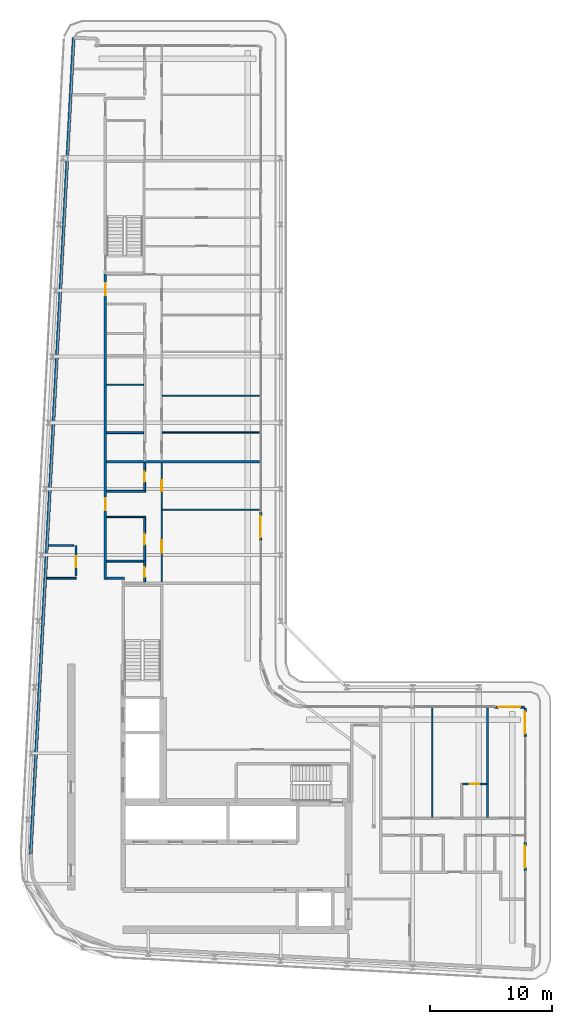
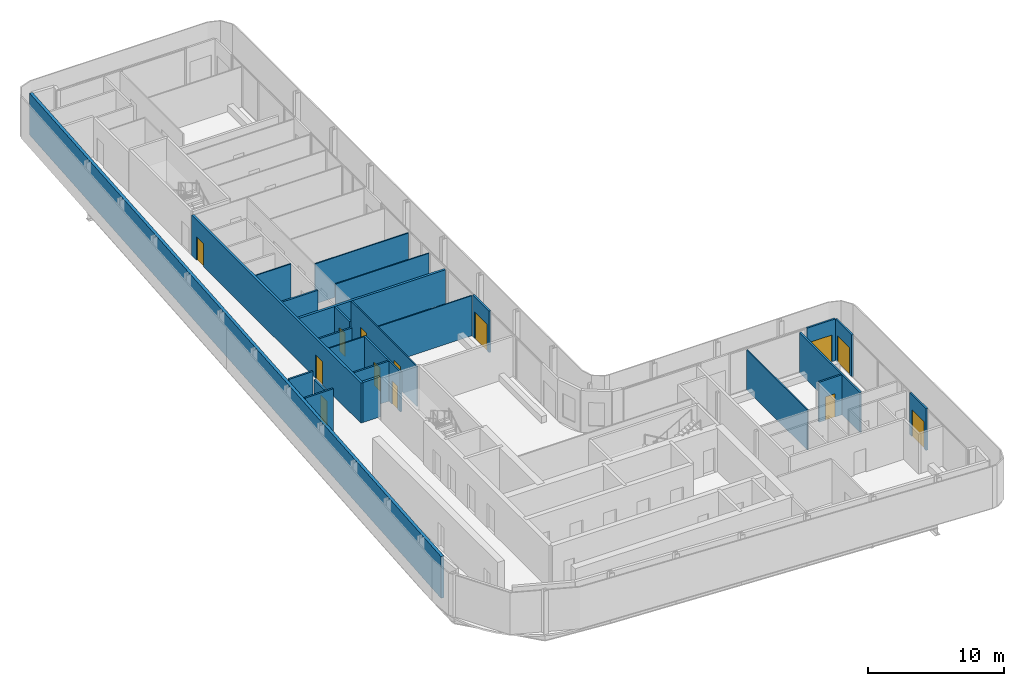
# One storey, part 13 of 21: 25 walls, 13 doors, 13 openings.
"""IFC4 building model written with IfcOpenShell, lengths in metres."""

from ifc_helpers import new_model, si_unit, direction, frame, frame_2d, origin, place, context, subcontext, project, spatial, rectangle, extrude, source, transform, mapped, material, layer, layer_set, type_object, element, fill, save


model = new_model("IFC4")

# Units and contexts
model_context = context("Model", 3, precision=1e-05, world=origin(), true_north=direction((0.0, 1.0)))
body_context = subcontext(model_context, "Body", "Model", "MODEL_VIEW")
ifc_project = project(units=[si_unit("LENGTHUNIT", "METRE"), si_unit("AREAUNIT", "SQUARE_METRE"), si_unit("VOLUMEUNIT", "CUBIC_METRE"), si_unit("PLANEANGLEUNIT", "RADIAN"), si_unit("MASSUNIT", "GRAM", prefix="KILO")], contexts=[model_context])

# Site, building, storey
site_placement = place(None, origin())
site = spatial("IfcSite", under=ifc_project, at=site_placement, CompositionType="ELEMENT")
building_placement = place(site_placement, origin())
building = spatial("IfcBuilding", under=site, at=building_placement, Name="Kheshtan School and Residences Tower", CompositionType="ELEMENT")
storey_placement = place(building_placement, frame((0.0, 0.0, 290.300048828125)))
storey = spatial("IfcBuildingStorey", under=building, at=storey_placement, Name="L68", CompositionType="ELEMENT", Elevation=290.300048828125)

# Wall, openings, doors
ifc_material_1 = material(Name="Gypsum board on steel studs with fire boards", Category="steel")
ifc_layer_1 = layer(ifc_material_1, 0.199951171875)
ifc_layer_set_1 = layer_set([ifc_layer_1], Name="Corridor wall 200")
wall_type_1 = type_object("IfcWallType", Name="Corridor wall 200", PredefinedType="PARTITIONING", material=ifc_layer_set_1)
wall_1_placement = place(storey_placement, frame((33.300048828125, 54.39990234375, 0.0), z_axis=(0.0, 0.0, 1.0), x_axis=(0.0, 1.0, 0.0)))
wall_1 = element("IfcWall", 1, at=wall_1_placement, inside=storey, type_object=wall_type_1, Name="Partition L68-003", PredefinedType="PARTITIONING", context=body_context, shape_type="SweptSolid", body=[
    extrude(rectangle(XDim=24.9501953125, YDim=0.199951171875, at=frame_2d((12.47509765625, 0.0))), origin(), (0.0, 0.0, 1.0), 3.599853515625),
])
opening_1_placement = place(wall_1_placement, frame((5.64990234375, 0.0, 0.0)))
opening_1 = element("IfcOpeningElement", 2, at=opening_1_placement, cuts=wall_1, Name="Opening D68-012", PredefinedType="OPENING", context=body_context, shape_type="SweptSolid", body=[
    extrude(rectangle(XDim=1.0, YDim=2.10009765625, at=frame_2d((0.5, 1.050048828125))), frame((0.0, 0.10986328125, 0.0), z_axis=(0.0, -1.0, 0.0), x_axis=(1.0, 0.0, 0.0)), (0.0, 0.0, 1.0), 0.219970703125),
])
opening_2_placement = place(wall_1_placement, frame((23.199951171875, 0.0, 0.0)))
opening_2 = element("IfcOpeningElement", 3, at=opening_2_placement, cuts=wall_1, Name="Opening D68-021", PredefinedType="OPENING", context=body_context, shape_type="SweptSolid", body=[
    extrude(rectangle(XDim=1.0, YDim=2.10009765625, at=frame_2d((0.5, 1.050048828125))), frame((0.0, 0.10986328125, 0.0), z_axis=(0.0, -1.0, 0.0), x_axis=(1.0, 0.0, 0.0)), (0.0, 0.0, 1.0), 0.219970703125),
])
ifc_material_2 = material(Name="Steel-framed fire-resisting door leaf", Category="steel")
door_type_1 = type_object("IfcDoorType", Name="Fire door FD30S 1000 x 2100", OperationType="SINGLE_SWING_LEFT", PredefinedType="DOOR", material=ifc_material_2)
shared_shape_1 = source(origin(), body_context, "Body", "SweptSolid", [
    extrude(rectangle(XDim=1.0, YDim=2.10009765625, at=frame_2d((0.5, 1.050048828125))), frame((0.0, 0.02490234375, 0.0), z_axis=(0.0, -1.0, 0.0), x_axis=(1.0, 0.0, 0.0)), (0.0, 0.0, 1.0), 0.050048828125),
])
door_1_placement = place(opening_1_placement, origin())
door_1 = element("IfcDoor", 4, at=door_1_placement, inside=storey, type_object=door_type_1, Name="Door D68-012", OperationType="SINGLE_SWING_LEFT", OverallHeight=2.10009765625, OverallWidth=1.0, PredefinedType="DOOR", context=body_context, shape_type="MappedRepresentation", body=[
    mapped(shared_shape_1, transform((0.0, 0.0, 0.0), x_axis=(1.0, 0.0, 0.0), y_axis=(0.0, 1.0, 0.0), z_axis=(0.0, 0.0, 1.0), scale=1.0)),
])
fill(opening_1, door_1)
door_2_placement = place(opening_2_placement, origin())
door_2 = element("IfcDoor", 5, at=door_2_placement, inside=storey, type_object=door_type_1, Name="Door D68-021", OperationType="SINGLE_SWING_LEFT", OverallHeight=2.10009765625, OverallWidth=1.0, PredefinedType="DOOR", context=body_context, shape_type="MappedRepresentation", body=[
    mapped(shared_shape_1, transform((0.0, 0.0, 0.0), x_axis=(1.0, 0.0, 0.0), y_axis=(0.0, 1.0, 0.0), z_axis=(0.0, 0.0, 1.0), scale=1.0)),
])
fill(opening_2, door_2)

# Walls
wall_2_placement = place(storey_placement, frame((33.39990234375, 54.5, 0.0), z_axis=(0.0, 0.0, 1.0), x_axis=(1.0, 0.0, 0.0)))
element("IfcWall", 6, at=wall_2_placement, inside=storey, type_object=wall_type_1, Name="Partition L68-005", PredefinedType="PARTITIONING", context=body_context, shape_type="SweptSolid", body=[
    extrude(rectangle(XDim=1.4501953125, YDim=0.199951171875, at=frame_2d((0.72509765625, 0.0))), origin(), (0.0, 0.0, 1.0), 3.599853515625),
])
ifc_material_3 = material(Name="Concrete C40/50 with ceramic cladding and mineral wool insulation", Category="concrete")
ifc_layer_2 = layer(ifc_material_3, 0.25)
ifc_layer_set_2 = layer_set([ifc_layer_2], Name="External wall 250 ceramic clad")
wall_type_2 = type_object("IfcWallType", Name="External wall 250 ceramic clad", PredefinedType="SOLIDWALL", material=ifc_layer_set_2)
wall_3_placement = place(storey_placement, frame((27.195068359375, 31.968994140625, 0.0), z_axis=(0.0, 0.0, 1.0), x_axis=(0.052554995867, 0.998618031286, 0.0)))
element("IfcWall", 7, at=wall_3_placement, inside=storey, type_object=wall_type_2, Name="External wall L68 4", PredefinedType="SOLIDWALL", context=body_context, shape_type="SweptSolid", body=[
    extrude(rectangle(XDim=66.787353515625, YDim=0.25, at=frame_2d((33.3935546875, 0.0))), origin(), (0.0, 0.0, 1.0), 3.75),
])

# Wall, opening, door
ifc_material_4 = material(Name="Aluminium frame wall with insulated infill", Category="aluminium")
ifc_layer_3 = layer(ifc_material_4, 0.14990234375)
ifc_layer_set_3 = layer_set([ifc_layer_3], Name="Glazing frame wall 150")
wall_type_3 = type_object("IfcWallType", Name="Glazing frame wall 150", PredefinedType="SOLIDWALL", material=ifc_layer_set_3)
wall_4_placement = place(storey_placement, frame((45.97509765625, 59.924072265625, 0.0), z_axis=(0.0, 0.0, 1.0), x_axis=(0.0, -1.0, 0.0)))
wall_4 = element("IfcWall", 8, at=wall_4_placement, inside=storey, type_object=wall_type_3, Name="Balcony door wall L68 8.4", PredefinedType="SOLIDWALL", context=body_context, shape_type="SweptSolid", body=[
    extrude(rectangle(XDim=2.400146484375, YDim=0.14990234375, at=frame_2d((1.2001953125, 0.0))), origin(), (0.0, 0.0, 1.0), 3.75),
])
opening_3_placement = place(wall_4_placement, frame((0.300048828125, 0.0, 0.0)))
opening_3 = element("IfcOpeningElement", 9, at=opening_3_placement, cuts=wall_4, Name="Opening BD", PredefinedType="OPENING", context=body_context, shape_type="SweptSolid", body=[
    extrude(rectangle(XDim=1.800048828125, YDim=2.39990234375, at=frame_2d((0.89990234375, 1.199951171875))), frame((0.0, 0.0849609375, 0.0), z_axis=(0.0, -1.0, 0.0), x_axis=(1.0, 0.0, 0.0)), (0.0, 0.0, 1.0), 0.169921875),
])
ifc_material_5 = material(Name="Clear low-e glass in thermally broken aluminium frame", Category="aluminium")
door_type_2 = type_object("IfcDoorType", Name="Balcony sliding door", OperationType="SLIDING_TO_LEFT", PredefinedType="DOOR", material=ifc_material_5)
shared_shape_2 = source(origin(), body_context, "Body", "SweptSolid", [
    extrude(rectangle(XDim=1.800048828125, YDim=2.39990234375, at=frame_2d((0.89990234375, 1.199951171875))), frame((0.0, 0.02490234375, 0.0), z_axis=(0.0, -1.0, 0.0), x_axis=(1.0, 0.0, 0.0)), (0.0, 0.0, 1.0), 0.050048828125),
])
door_3_placement = place(opening_3_placement, origin())
door_3 = element("IfcDoor", 10, at=door_3_placement, inside=storey, type_object=door_type_2, Name="Balcony door L68 8.4", OperationType="SLIDING_TO_LEFT", OverallHeight=2.39990234375, OverallWidth=1.800048828125, PredefinedType="DOOR", context=body_context, shape_type="MappedRepresentation", body=[
    mapped(shared_shape_2, transform((0.0, 0.0, 0.0), x_axis=(1.0, 0.0, 0.0), y_axis=(0.0, 1.0, 0.0), z_axis=(0.0, 0.0, 1.0), scale=1.0)),
])
fill(opening_3, door_3)

wall_5_placement = place(storey_placement, frame((65.10009765625, 43.97509765625, 0.0), z_axis=(0.0, 0.0, 1.0), x_axis=(1.0, 0.0, 0.0)))
wall_5 = element("IfcWall", 11, at=wall_5_placement, inside=storey, type_object=wall_type_3, Name="Balcony door wall L68 12.2", PredefinedType="SOLIDWALL", context=body_context, shape_type="SweptSolid", body=[
    extrude(rectangle(XDim=2.39990234375, YDim=0.14990234375, at=frame_2d((1.199951171875, 0.0))), origin(), (0.0, 0.0, 1.0), 3.75),
])
opening_4_placement = place(wall_5_placement, frame((0.300048828125, 0.0, 0.0)))
opening_4 = element("IfcOpeningElement", 12, at=opening_4_placement, cuts=wall_5, Name="Opening BD", PredefinedType="OPENING", context=body_context, shape_type="SweptSolid", body=[
    extrude(rectangle(XDim=1.800048828125, YDim=2.39990234375, at=frame_2d((0.89990234375, 1.199951171875))), frame((0.0, 0.0849609375, 0.0), z_axis=(0.0, -1.0, 0.0), x_axis=(1.0, 0.0, 0.0)), (0.0, 0.0, 1.0), 0.169921875),
])
door_4_placement = place(opening_4_placement, origin())
door_4 = element("IfcDoor", 13, at=door_4_placement, inside=storey, type_object=door_type_2, Name="Balcony door L68 12.2", OperationType="SLIDING_TO_LEFT", OverallHeight=2.39990234375, OverallWidth=1.800048828125, PredefinedType="DOOR", context=body_context, shape_type="MappedRepresentation", body=[
    mapped(shared_shape_2, transform((0.0, 0.0, 0.0), x_axis=(1.0, 0.0, 0.0), y_axis=(0.0, 1.0, 0.0), z_axis=(0.0, 0.0, 1.0), scale=1.0)),
])
fill(opening_4, door_4)

wall_6_placement = place(storey_placement, frame((67.574951171875, 43.89990234375, 0.0), z_axis=(0.0, 0.0, 1.0), x_axis=(0.0, -1.0, 0.0)))
wall_6 = element("IfcWall", 14, at=wall_6_placement, inside=storey, type_object=wall_type_3, Name="Balcony door wall L68 13.1", PredefinedType="SOLIDWALL", context=body_context, shape_type="SweptSolid", body=[
    extrude(rectangle(XDim=2.39990234375, YDim=0.14990234375, at=frame_2d((1.199951171875, 0.0))), origin(), (0.0, 0.0, 1.0), 3.75),
])
opening_5_placement = place(wall_6_placement, frame((0.300048828125, 0.0, 0.0)))
opening_5 = element("IfcOpeningElement", 15, at=opening_5_placement, cuts=wall_6, Name="Opening BD", PredefinedType="OPENING", context=body_context, shape_type="SweptSolid", body=[
    extrude(rectangle(XDim=1.800048828125, YDim=2.39990234375, at=frame_2d((0.89990234375, 1.199951171875))), frame((0.0, 0.0849609375, 0.0), z_axis=(0.0, -1.0, 0.0), x_axis=(1.0, 0.0, 0.0)), (0.0, 0.0, 1.0), 0.169921875),
])
door_5_placement = place(opening_5_placement, origin())
door_5 = element("IfcDoor", 16, at=door_5_placement, inside=storey, type_object=door_type_2, Name="Balcony door L68 13.1", OperationType="SLIDING_TO_LEFT", OverallHeight=2.39990234375, OverallWidth=1.800048828125, PredefinedType="DOOR", context=body_context, shape_type="MappedRepresentation", body=[
    mapped(shared_shape_2, transform((0.0, 0.0, 0.0), x_axis=(1.0, 0.0, 0.0), y_axis=(0.0, 1.0, 0.0), z_axis=(0.0, 0.0, 1.0), scale=1.0)),
])
fill(opening_5, door_5)

wall_7_placement = place(storey_placement, frame((67.574951171875, 32.958984375, 0.0), z_axis=(0.0, 0.0, 1.0), x_axis=(0.0, -1.0, 0.0)))
wall_7 = element("IfcWall", 17, at=wall_7_placement, inside=storey, type_object=wall_type_3, Name="Balcony door wall L68 13.2", PredefinedType="SOLIDWALL", context=body_context, shape_type="SweptSolid", body=[
    extrude(rectangle(XDim=2.39990234375, YDim=0.14990234375, at=frame_2d((1.199951171875, 0.0))), origin(), (0.0, 0.0, 1.0), 3.75),
])
opening_6_placement = place(wall_7_placement, frame((0.300048828125, 0.0, 0.0)))
opening_6 = element("IfcOpeningElement", 18, at=opening_6_placement, cuts=wall_7, Name="Opening BD", PredefinedType="OPENING", context=body_context, shape_type="SweptSolid", body=[
    extrude(rectangle(XDim=1.800048828125, YDim=2.39990234375, at=frame_2d((0.89990234375, 1.199951171875))), frame((0.0, 0.0849609375, 0.0), z_axis=(0.0, -1.0, 0.0), x_axis=(1.0, 0.0, 0.0)), (0.0, 0.0, 1.0), 0.169921875),
])
door_6_placement = place(opening_6_placement, origin())
door_6 = element("IfcDoor", 19, at=door_6_placement, inside=storey, type_object=door_type_2, Name="Balcony door L68 13.2", OperationType="SLIDING_TO_LEFT", OverallHeight=2.39990234375, OverallWidth=1.800048828125, PredefinedType="DOOR", context=body_context, shape_type="MappedRepresentation", body=[
    mapped(shared_shape_2, transform((0.0, 0.0, 0.0), x_axis=(1.0, 0.0, 0.0), y_axis=(0.0, 1.0, 0.0), z_axis=(0.0, 0.0, 1.0), scale=1.0)),
])
fill(opening_6, door_6)

# Walls
ifc_material_6 = material(Name="Gypsum board on steel studs", Category="steel")
ifc_layer_4 = layer(ifc_material_6, 0.10009765625)
ifc_layer_set_4 = layer_set([ifc_layer_4], Name="Gypsum partition 100")
wall_type_4 = type_object("IfcWallType", Name="Gypsum partition 100", PredefinedType="PARTITIONING", material=ifc_layer_set_4)
for number, where, z_axis, x_axis, name in (
    (20, (33.39990234375, 59.5, 0.0), (0.0, 0.0, 1.0), (1.0, 0.0, 0.0), "Partition L68-007"),
    (21, (33.39990234375, 70.300048828125, 0.0), (0.0, 0.0, 1.0), (1.0, 0.0, 0.0), "Partition L68-011"),
):
    element("IfcWall", number, at=place(storey_placement, frame(where, z_axis=z_axis, x_axis=x_axis)), inside=storey, type_object=wall_type_4, Name=name, PredefinedType="PARTITIONING", context=body_context, shape_type="SweptSolid", body=[
        extrude(rectangle(XDim=3.025146484375, YDim=0.10009765625, at=frame_2d((1.5126953125, 0.0))), origin(), (0.0, 0.0, 1.0), 3.599853515625),
    ])

# Wall, openings, doors
wall_8_placement = place(storey_placement, frame((37.89990234375, 54.199951171875, 0.0), z_axis=(0.0, 0.0, 1.0), x_axis=(0.0, 1.0, 0.0)))
wall_8 = element("IfcWall", 22, at=wall_8_placement, inside=storey, type_object=wall_type_4, Name="Partition L68-030", PredefinedType="PARTITIONING", context=body_context, shape_type="SweptSolid", body=[
    extrude(rectangle(XDim=9.699951171875, YDim=0.10009765625, at=frame_2d((4.85009765625, 0.0))), origin(), (0.0, 0.0, 1.0), 3.599853515625),
])
opening_7_placement = place(wall_8_placement, frame((7.39990234375, 0.0, 0.0)))
opening_7 = element("IfcOpeningElement", 23, at=opening_7_placement, cuts=wall_8, Name="Opening D68-011", PredefinedType="OPENING", context=body_context, shape_type="SweptSolid", body=[
    extrude(rectangle(XDim=0.89990234375, YDim=2.10009765625, at=frame_2d((0.449951171875, 1.050048828125))), frame((0.0, 0.06005859375, 0.0), z_axis=(0.0, -1.0, 0.0), x_axis=(1.0, 0.0, 0.0)), (0.0, 0.0, 1.0), 0.1201171875),
])
opening_8_placement = place(wall_8_placement, frame((2.39990234375, 0.0, 0.0)))
opening_8 = element("IfcOpeningElement", 24, at=opening_8_placement, cuts=wall_8, Name="Opening D68-014", PredefinedType="OPENING", context=body_context, shape_type="SweptSolid", body=[
    extrude(rectangle(XDim=1.0, YDim=2.10009765625, at=frame_2d((0.5, 1.050048828125))), frame((0.0, 0.06005859375, 0.0), z_axis=(0.0, -1.0, 0.0), x_axis=(1.0, 0.0, 0.0)), (0.0, 0.0, 1.0), 0.1201171875),
])
ifc_material_7 = material(Name="Veneered timber door leaf", Category="wood")
door_type_3 = type_object("IfcDoorType", Name="Door 1000 x 2100", OperationType="SINGLE_SWING_LEFT", PredefinedType="DOOR", material=ifc_material_7)
shared_shape_3 = source(origin(), body_context, "Body", "SweptSolid", [
    extrude(rectangle(XDim=1.0, YDim=2.10009765625, at=frame_2d((0.5, 1.050048828125))), frame((0.0, 0.02490234375, 0.0), z_axis=(0.0, -1.0, 0.0), x_axis=(1.0, 0.0, 0.0)), (0.0, 0.0, 1.0), 0.050048828125),
])
door_7_placement = place(opening_8_placement, origin())
door_7 = element("IfcDoor", 25, at=door_7_placement, inside=storey, type_object=door_type_3, Name="Door D68-014", OperationType="SINGLE_SWING_RIGHT", OverallHeight=2.10009765625, OverallWidth=1.0, PredefinedType="DOOR", context=body_context, shape_type="MappedRepresentation", body=[
    mapped(shared_shape_3, transform((0.0, 0.0, 0.0), x_axis=(1.0, 0.0, 0.0), y_axis=(0.0, 1.0, 0.0), z_axis=(0.0, 0.0, 1.0), scale=1.0)),
])
fill(opening_8, door_7)
door_type_4 = type_object("IfcDoorType", Name="Door 900 x 2100", OperationType="SINGLE_SWING_LEFT", PredefinedType="DOOR", material=ifc_material_7)
shared_shape_4 = source(origin(), body_context, "Body", "SweptSolid", [
    extrude(rectangle(XDim=0.89990234375, YDim=2.10009765625, at=frame_2d((0.449951171875, 1.050048828125))), frame((0.0, 0.02490234375, 0.0), z_axis=(0.0, -1.0, 0.0), x_axis=(1.0, 0.0, 0.0)), (0.0, 0.0, 1.0), 0.050048828125),
])
door_8_placement = place(opening_7_placement, origin())
door_8 = element("IfcDoor", 26, at=door_8_placement, inside=storey, type_object=door_type_4, Name="Door D68-011", OperationType="SINGLE_SWING_RIGHT", OverallHeight=2.10009765625, OverallWidth=0.89990234375, PredefinedType="DOOR", context=body_context, shape_type="MappedRepresentation", body=[
    mapped(shared_shape_4, transform((0.0, 0.0, 0.0), x_axis=(1.0, 0.0, 0.0), y_axis=(0.0, 1.0, 0.0), z_axis=(0.0, 0.0, 1.0), scale=1.0)),
])
fill(opening_7, door_8)

# Walls
for number, where, z_axis, x_axis, name in (
    (27, (37.949951171875, 60.10009765625, 0.0), (0.0, 0.0, 1.0), (1.0, 0.0, 0.0), "Partition L68-033"),
    (28, (37.949951171875, 66.39990234375, 0.0), (0.0, 0.0, 1.0), (1.0, 0.0, 0.0), "Partition L68-034"),
    (29, (37.949951171875, 69.39990234375, 0.0), (0.0, 0.0, 1.0), (1.0, 0.0, 0.0), "Partition L68-035"),
):
    element("IfcWall", number, at=place(storey_placement, frame(where, z_axis=z_axis, x_axis=x_axis)), inside=storey, type_object=wall_type_4, Name=name, PredefinedType="PARTITIONING", context=body_context, shape_type="SweptSolid", body=[
        extrude(rectangle(XDim=7.949951171875, YDim=0.10009765625, at=frame_2d((3.97509765625, 0.0))), origin(), (0.0, 0.0, 1.0), 3.599853515625),
    ])
wall_9_placement = place(storey_placement, frame((60.0, 34.97509765625, 0.0), z_axis=(0.0, 0.0, 1.0), x_axis=(0.0, 1.0, 0.0)))
element("IfcWall", 30, at=wall_9_placement, inside=storey, type_object=wall_type_4, Name="Partition L68-047", PredefinedType="PARTITIONING", context=body_context, shape_type="SweptSolid", body=[
    extrude(rectangle(XDim=8.9248046875, YDim=0.10009765625, at=frame_2d((4.46240234375, 0.0))), origin(), (0.0, 0.0, 1.0), 3.599853515625),
])
ifc_material_8 = material(Name="Fire-board shaft wall system")
ifc_layer_5 = layer(ifc_material_8, 0.14990234375)
ifc_layer_set_5 = layer_set([ifc_layer_5], Name="Service room wall 150")
wall_type_5 = type_object("IfcWallType", Name="Service room wall 150", PredefinedType="PARTITIONING", material=ifc_layer_set_5)
wall_10_placement = place(storey_placement, frame((28.508056640625, 54.5, 0.0), z_axis=(0.0, 0.0, 1.0), x_axis=(1.0, 0.0, 0.0)))
element("IfcWall", 31, at=wall_10_placement, inside=storey, type_object=wall_type_5, Name="Service room wall", PredefinedType="PARTITIONING", context=body_context, shape_type="SweptSolid", body=[
    extrude(rectangle(XDim=2.391845703125, YDim=0.14990234375, at=frame_2d((1.19580078125, 0.0))), origin(), (0.0, 0.0, 1.0), 3.89990234375),
])

# Wall, opening, door
wall_11_placement = place(storey_placement, frame((30.89990234375, 54.695068359375, 0.0), z_axis=(0.0, 0.0, 1.0), x_axis=(0.0, 1.0, 0.0)))
wall_11 = element("IfcWall", 32, at=wall_11_placement, inside=storey, type_object=wall_type_5, Name="Service room wall", PredefinedType="PARTITIONING", context=body_context, shape_type="SweptSolid", body=[
    extrude(rectangle(XDim=2.48681640625, YDim=0.14990234375, at=frame_2d((1.243408203125, 0.0))), origin(), (0.0, 0.0, 1.0), 3.072021484375),
])
opening_9_placement = place(wall_11_placement, frame((0.696044921875, 0.0, 0.0)))
opening_9 = element("IfcOpeningElement", 33, at=opening_9_placement, cuts=wall_11, Name="Opening SR90", PredefinedType="OPENING", context=body_context, shape_type="SweptSolid", body=[
    extrude(rectangle(XDim=0.89990234375, YDim=2.199951171875, at=frame_2d((0.449951171875, 1.10009765625))), frame((0.0, 0.0849609375, 0.0), z_axis=(0.0, -1.0, 0.0), x_axis=(1.0, 0.0, 0.0)), (0.0, 0.0, 1.0), 0.169921875),
])
ifc_material_9 = material(Name="Steel door leaf, galvanised", Category="steel")
door_type_5 = type_object("IfcDoorType", Name="Service room door 900 steel 90 min", OperationType="SINGLE_SWING_LEFT", PredefinedType="DOOR", material=ifc_material_9)
shared_shape_5 = source(origin(), body_context, "Body", "SweptSolid", [
    extrude(rectangle(XDim=0.89990234375, YDim=2.199951171875, at=frame_2d((0.449951171875, 1.10009765625))), frame((0.0, 0.02490234375, 0.0), z_axis=(0.0, -1.0, 0.0), x_axis=(1.0, 0.0, 0.0)), (0.0, 0.0, 1.0), 0.050048828125),
])
door_9_placement = place(opening_9_placement, origin())
door_9 = element("IfcDoor", 34, at=door_9_placement, inside=storey, type_object=door_type_5, Name="Service room door", OperationType="SINGLE_SWING_LEFT", OverallHeight=2.199951171875, OverallWidth=0.89990234375, PredefinedType="DOOR", context=body_context, shape_type="MappedRepresentation", body=[
    mapped(shared_shape_5, transform((0.0, 0.0, 0.0), x_axis=(1.0, 0.0, 0.0), y_axis=(0.0, 1.0, 0.0), z_axis=(0.0, 0.0, 1.0), scale=1.0)),
])
fill(opening_9, door_9)

# Walls
wall_12_placement = place(storey_placement, frame((28.64892578125, 57.181884765625, 0.0), z_axis=(0.0, 0.0, 1.0), x_axis=(1.0, 0.0, 0.0)))
element("IfcWall", 35, at=wall_12_placement, inside=storey, type_object=wall_type_5, Name="Service room wall", PredefinedType="PARTITIONING", context=body_context, shape_type="SweptSolid", body=[
    extrude(rectangle(XDim=2.05615234375, YDim=0.14990234375, at=frame_2d((1.028076171875, 0.0))), origin(), (0.0, 0.0, 1.0), 3.89990234375),
])
ifc_material_10 = material(Name="Twin gypsum board on steel studs with mineral wool", Category="steel")
ifc_layer_6 = layer(ifc_material_10, 0.199951171875)
ifc_layer_set_6 = layer_set([ifc_layer_6], Name="Unit demising wall 200")
wall_type_6 = type_object("IfcWallType", Name="Unit demising wall 200", PredefinedType="PARTITIONING", material=ifc_layer_set_6)
wall_13_placement = place(storey_placement, frame((33.39990234375, 64.0, 0.0), z_axis=(0.0, 0.0, 1.0), x_axis=(1.0, 0.0, 0.0)))
element("IfcWall", 36, at=wall_13_placement, inside=storey, type_object=wall_type_6, Name="Partition L68-009", PredefinedType="PARTITIONING", context=body_context, shape_type="SweptSolid", body=[
    extrude(rectangle(XDim=12.5, YDim=0.199951171875, at=frame_2d((6.25, 0.0))), origin(), (0.0, 0.0, 1.0), 3.599853515625),
])
ifc_material_11 = material(Name="Moisture-resistant gypsum board on steel studs", Category="steel")
ifc_layer_7 = layer(ifc_material_11, 0.14990234375)
ifc_layer_set_7 = layer_set([ifc_layer_7], Name="Wet-room partition 150")
wall_type_7 = type_object("IfcWallType", Name="Wet-room partition 150", PredefinedType="PARTITIONING", material=ifc_layer_set_7)
wall_14_placement = place(storey_placement, frame((33.39990234375, 55.89990234375, 0.0), z_axis=(0.0, 0.0, 1.0), x_axis=(1.0, 0.0, 0.0)))
element("IfcWall", 37, at=wall_14_placement, inside=storey, type_object=wall_type_7, Name="Partition L68-006", PredefinedType="PARTITIONING", context=body_context, shape_type="SweptSolid", body=[
    extrude(rectangle(XDim=3.025146484375, YDim=0.14990234375, at=frame_2d((1.5126953125, 0.0))), origin(), (0.0, 0.0, 1.0), 3.599853515625),
])
wall_15_placement = place(storey_placement, frame((33.39990234375, 61.60009765625, 0.0), z_axis=(0.0, 0.0, 1.0), x_axis=(1.0, 0.0, 0.0)))
element("IfcWall", 38, at=wall_15_placement, inside=storey, type_object=wall_type_7, Name="Partition L68-008", PredefinedType="PARTITIONING", context=body_context, shape_type="SweptSolid", body=[
    extrude(rectangle(XDim=3.175048828125, YDim=0.14990234375, at=frame_2d((1.58740234375, 0.0))), origin(), (0.0, 0.0, 1.0), 3.072021484375),
])
wall_16_placement = place(storey_placement, frame((33.39990234375, 66.39990234375, 0.0), z_axis=(0.0, 0.0, 1.0), x_axis=(1.0, 0.0, 0.0)))
element("IfcWall", 39, at=wall_16_placement, inside=storey, type_object=wall_type_7, Name="Partition L68-010", PredefinedType="PARTITIONING", context=body_context, shape_type="SweptSolid", body=[
    extrude(rectangle(XDim=3.025146484375, YDim=0.14990234375, at=frame_2d((1.5126953125, 0.0))), origin(), (0.0, 0.0, 1.0), 3.599853515625),
])

# Wall, openings, doors
wall_17_placement = place(storey_placement, frame((36.5, 54.199951171875, 0.0), z_axis=(0.0, 0.0, 1.0), x_axis=(0.0, 1.0, 0.0)))
wall_17 = element("IfcWall", 40, at=wall_17_placement, inside=storey, type_object=wall_type_7, Name="Partition L68-022", PredefinedType="PARTITIONING", context=body_context, shape_type="SweptSolid", body=[
    extrude(rectangle(XDim=5.35009765625, YDim=0.14990234375, at=frame_2d((2.675048828125, 0.0))), origin(), (0.0, 0.0, 1.0), 3.599853515625),
])
opening_10_placement = place(wall_17_placement, frame((3.050048828125, 0.0, 0.0)))
opening_10 = element("IfcOpeningElement", 41, at=opening_10_placement, cuts=wall_17, Name="Opening D68-013", PredefinedType="OPENING", context=body_context, shape_type="SweptSolid", body=[
    extrude(rectangle(XDim=0.89990234375, YDim=2.10009765625, at=frame_2d((0.449951171875, 1.050048828125))), frame((0.0, 0.0849609375, 0.0), z_axis=(0.0, -1.0, 0.0), x_axis=(1.0, 0.0, 0.0)), (0.0, 0.0, 1.0), 0.169921875),
])
opening_11_placement = place(wall_17_placement, frame((0.39990234375, 0.0, 0.0)))
opening_11 = element("IfcOpeningElement", 42, at=opening_11_placement, cuts=wall_17, Name="Opening D68-015", PredefinedType="OPENING", context=body_context, shape_type="SweptSolid", body=[
    extrude(rectangle(XDim=0.800048828125, YDim=2.10009765625, at=frame_2d((0.39990234375, 1.050048828125))), frame((0.0, 0.0849609375, 0.0), z_axis=(0.0, -1.0, 0.0), x_axis=(1.0, 0.0, 0.0)), (0.0, 0.0, 1.0), 0.169921875),
])
door_type_6 = type_object("IfcDoorType", Name="Door 800 x 2100", OperationType="SINGLE_SWING_LEFT", PredefinedType="DOOR", material=ifc_material_7)
shared_shape_6 = source(origin(), body_context, "Body", "SweptSolid", [
    extrude(rectangle(XDim=0.800048828125, YDim=2.10009765625, at=frame_2d((0.39990234375, 1.050048828125))), frame((0.0, 0.02490234375, 0.0), z_axis=(0.0, -1.0, 0.0), x_axis=(1.0, 0.0, 0.0)), (0.0, 0.0, 1.0), 0.050048828125),
])
door_10_placement = place(opening_11_placement, origin())
door_10 = element("IfcDoor", 43, at=door_10_placement, inside=storey, type_object=door_type_6, Name="Door D68-015", OperationType="SINGLE_SWING_RIGHT", OverallHeight=2.10009765625, OverallWidth=0.800048828125, PredefinedType="DOOR", context=body_context, shape_type="MappedRepresentation", body=[
    mapped(shared_shape_6, transform((0.0, 0.0, 0.0), x_axis=(1.0, 0.0, 0.0), y_axis=(0.0, 1.0, 0.0), z_axis=(0.0, 0.0, 1.0), scale=1.0)),
])
fill(opening_11, door_10)
door_11_placement = place(opening_10_placement, origin())
door_11 = element("IfcDoor", 44, at=door_11_placement, inside=storey, type_object=door_type_4, Name="Door D68-013", OperationType="SINGLE_SWING_RIGHT", OverallHeight=2.10009765625, OverallWidth=0.89990234375, PredefinedType="DOOR", context=body_context, shape_type="MappedRepresentation", body=[
    mapped(shared_shape_4, transform((0.0, 0.0, 0.0), x_axis=(1.0, 0.0, 0.0), y_axis=(0.0, 1.0, 0.0), z_axis=(0.0, 0.0, 1.0), scale=1.0)),
])
fill(opening_10, door_11)

# Wall, opening, door
wall_18_placement = place(storey_placement, frame((36.5, 61.675048828125, 0.0), z_axis=(0.0, 0.0, 1.0), x_axis=(0.0, 1.0, 0.0)))
wall_18 = element("IfcWall", 45, at=wall_18_placement, inside=storey, type_object=wall_type_7, Name="Partition L68-023", PredefinedType="PARTITIONING", context=body_context, shape_type="SweptSolid", body=[
    extrude(rectangle(XDim=2.224853515625, YDim=0.14990234375, at=frame_2d((1.1123046875, 0.0))), origin(), (0.0, 0.0, 1.0), 3.599853515625),
])
opening_12_placement = place(wall_18_placement, frame((0.72509765625, 0.0, 0.0)))
opening_12 = element("IfcOpeningElement", 46, at=opening_12_placement, cuts=wall_18, Name="Opening D68-010", PredefinedType="OPENING", context=body_context, shape_type="SweptSolid", body=[
    extrude(rectangle(XDim=0.800048828125, YDim=2.10009765625, at=frame_2d((0.39990234375, 1.050048828125))), frame((0.0, 0.0849609375, 0.0), z_axis=(0.0, -1.0, 0.0), x_axis=(1.0, 0.0, 0.0)), (0.0, 0.0, 1.0), 0.169921875),
])
door_12_placement = place(opening_12_placement, origin())
door_12 = element("IfcDoor", 47, at=door_12_placement, inside=storey, type_object=door_type_6, Name="Door D68-010", OperationType="SINGLE_SWING_LEFT", OverallHeight=2.10009765625, OverallWidth=0.800048828125, PredefinedType="DOOR", context=body_context, shape_type="MappedRepresentation", body=[
    mapped(shared_shape_6, transform((0.0, 0.0, 0.0), x_axis=(1.0, 0.0, 0.0), y_axis=(0.0, 1.0, 0.0), z_axis=(0.0, 0.0, 1.0), scale=1.0)),
])
fill(opening_12, door_12)

wall_19_placement = place(storey_placement, frame((62.47509765625, 37.699951171875, 0.0), z_axis=(0.0, 0.0, 1.0), x_axis=(1.0, 0.0, 0.0)))
wall_19 = element("IfcWall", 48, at=wall_19_placement, inside=storey, type_object=wall_type_7, Name="Partition L68-050", PredefinedType="PARTITIONING", context=body_context, shape_type="SweptSolid", body=[
    extrude(rectangle(XDim=1.949951171875, YDim=0.14990234375, at=frame_2d((0.97509765625, 0.0))), origin(), (0.0, 0.0, 1.0), 3.599853515625),
])
opening_13_placement = place(wall_19_placement, frame((0.574951171875, 0.0, 0.0)))
opening_13 = element("IfcOpeningElement", 49, at=opening_13_placement, cuts=wall_19, Name="Opening D68-004", PredefinedType="OPENING", context=body_context, shape_type="SweptSolid", body=[
    extrude(rectangle(XDim=0.800048828125, YDim=2.10009765625, at=frame_2d((0.39990234375, 1.050048828125))), frame((0.0, 0.0849609375, 0.0), z_axis=(0.0, -1.0, 0.0), x_axis=(1.0, 0.0, 0.0)), (0.0, 0.0, 1.0), 0.169921875),
])
door_13_placement = place(opening_13_placement, origin())
door_13 = element("IfcDoor", 50, at=door_13_placement, inside=storey, type_object=door_type_6, Name="Door D68-004", OperationType="SINGLE_SWING_LEFT", OverallHeight=2.10009765625, OverallWidth=0.800048828125, PredefinedType="DOOR", context=body_context, shape_type="MappedRepresentation", body=[
    mapped(shared_shape_6, transform((0.0, 0.0, 0.0), x_axis=(1.0, 0.0, 0.0), y_axis=(0.0, 1.0, 0.0), z_axis=(0.0, 0.0, 1.0), scale=1.0)),
])
fill(opening_13, door_13)

# Wall
wall_20_placement = place(storey_placement, frame((64.5, 34.97509765625, 0.0), z_axis=(0.0, 0.0, 1.0), x_axis=(0.0, 1.0, 0.0)))
element("IfcWall", 51, at=wall_20_placement, inside=storey, type_object=wall_type_7, Name="Partition L68-053", PredefinedType="PARTITIONING", context=body_context, shape_type="SweptSolid", body=[
    extrude(rectangle(XDim=8.9248046875, YDim=0.14990234375, at=frame_2d((4.46240234375, 0.0))), origin(), (0.0, 0.0, 1.0), 3.599853515625),
])

save(model, "model.ifc")
